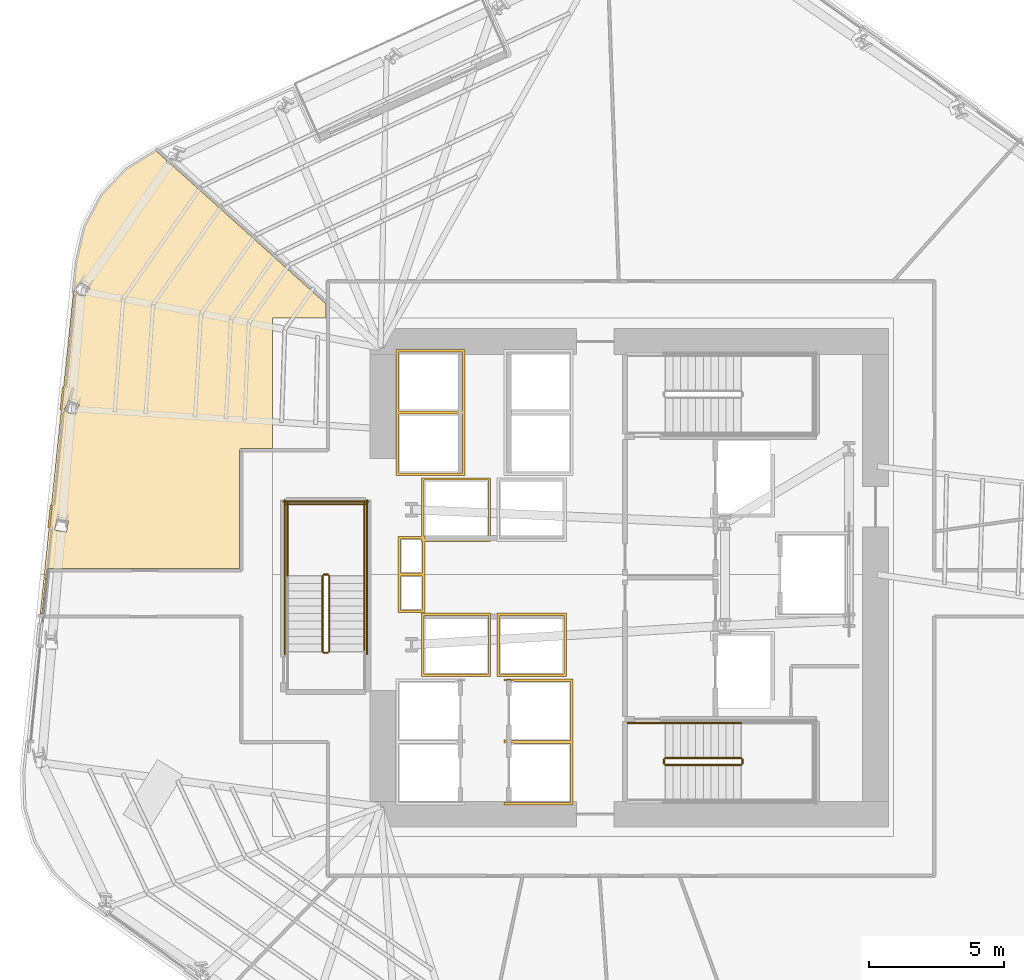
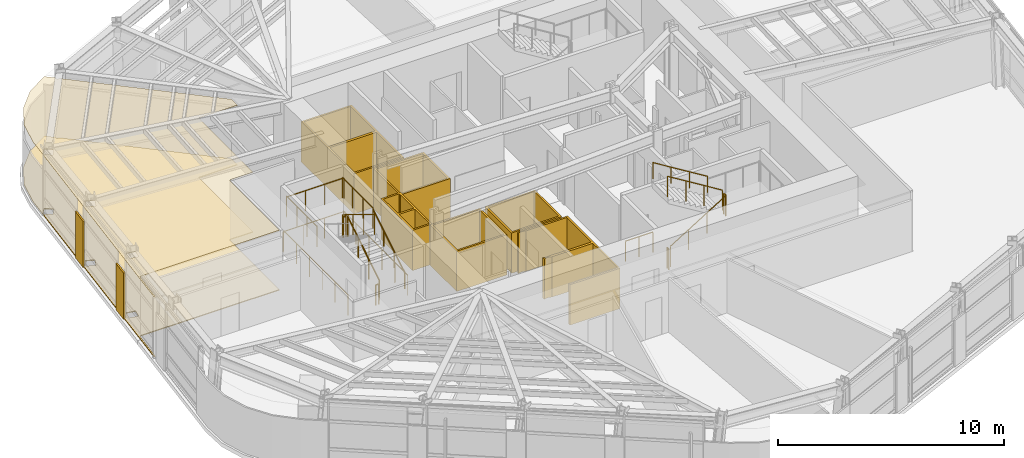
# One storey, part 12 of 16: 17 railings, 9 coverings.
"""IFC4 building model written with IfcOpenShell, lengths in metres."""

from ifc_helpers import new_model, si_unit, direction, frame, origin, origin_2d, place, context, subcontext, project, spatial, polyline, circle, outline, extrude, material, layer, layer_set, type_object, element, save


model = new_model("IFC4")

# Units and contexts
model_context = context("Model", 3, precision=1e-05, world=origin(), true_north=direction((0.0, 1.0)))
body_context = subcontext(model_context, "Body", "Model", "MODEL_VIEW")
ifc_project = project(units=[si_unit("LENGTHUNIT", "METRE"), si_unit("AREAUNIT", "SQUARE_METRE"), si_unit("VOLUMEUNIT", "CUBIC_METRE"), si_unit("PLANEANGLEUNIT", "RADIAN"), si_unit("MASSUNIT", "GRAM", prefix="KILO")], contexts=[model_context])

# Site, building, storey
site_placement = place(None, origin())
site = spatial("IfcSite", under=ifc_project, at=site_placement, CompositionType="ELEMENT")
building_placement = place(site_placement, origin())
building = spatial("IfcBuilding", under=site, at=building_placement, Name="Valkerne Bourse Tower", CompositionType="ELEMENT")
storey_placement = place(building_placement, frame((0.0, 0.0, 127.60009765625)))
storey = spatial("IfcBuildingStorey", under=building, at=storey_placement, Name="L32", CompositionType="ELEMENT", Elevation=127.60009765625)

# Coverings
ifc_material_1 = material(Name="Mineral Fiber Acoustic Ceiling Tile", Category="acoustic")
ifc_layer_1 = layer(ifc_material_1, 0.02490234375)
ifc_layer_set_1 = layer_set([ifc_layer_1], Name="Mineral Fiber Acoustic Ceiling Tile")
covering_type_1 = type_object("IfcCoveringType", Name="COV-CEIL-ACT", PredefinedType="CEILING", material=ifc_layer_set_1)
covering_1_placement = place(storey_placement, frame((0.0, 0.0, 3.22998046875)))
element("IfcCovering", 1, at=covering_1_placement, inside=storey, type_object=covering_type_1, Name="L32 Suspended Ceiling 07", PredefinedType="CEILING", context=body_context, shape_type="SweptSolid", body=[
    extrude(outline(polyline([(27.26904296875, 41.0341796875), (28.17236328125, 41.996337890625), (29.288330078125, 42.688232421875), (29.68603515625, 42.330078125), (29.65869140625, 42.2470703125), (29.848876953125, 42.183349609375), (35.5810546875, 37.022216796875), (35.5810546875, 36.5), (33.60009765625, 36.5), (33.60009765625, 31.6689453125), (32.449462890625, 31.6689453125), (32.419921875, 31.662109375), (32.39404296875, 31.640625), (32.381103515625, 31.6005859375), (32.381103515625, 27.218994140625), (25.284912109375, 27.21728515625), (25.25048828125, 27.197021484375), (25.233154296875, 27.160400390625), (25.066162109375, 25.539306640625), (24.998291015625, 25.53466796875), (26.342041015625, 38.577392578125), (26.6455078125, 39.87158203125), (27.26904296875, 41.0341796875)]), holes=[polyline([(26.04248046875, 28.976806640625), (25.6181640625, 29.058837890625), (25.5390625, 28.651123046875), (25.538818359375, 28.64794921875), (25.963134765625, 28.566162109375), (26.0419921875, 28.973876953125), (26.04248046875, 28.976806640625)]), polyline([(26.446533203125, 33.285888671875), (26.447509765625, 33.288818359375), (26.048583984375, 33.45556640625), (25.88818359375, 33.072509765625), (25.88720703125, 33.0693359375), (26.2861328125, 32.90283203125), (26.446533203125, 33.285888671875)]), polyline([(26.839599609375, 37.60107421875), (26.479248046875, 37.839599609375), (26.25, 37.49365234375), (26.248291015625, 37.490478515625), (26.60888671875, 37.252197265625), (26.838134765625, 37.59814453125), (26.839599609375, 37.60107421875)])]), origin(), (0.0, 0.0, 1.0), 0.02490234375),
])
ifc_material_2 = material(Name="Bronze Anodised Aluminium AA 6063-T6", Category="aluminium")
ifc_layer_2 = layer(ifc_material_2, 0.06005859375)
ifc_layer_set_2 = layer_set([ifc_layer_2], Name="Bronze Anodised Aluminium AA 6063-T6")
covering_type_2 = type_object("IfcCoveringType", Name="COV-CRN-ALUM", PredefinedType="CLADDING", material=ifc_layer_set_2)
covering_2_placement = place(storey_placement, origin())
element("IfcCovering", 2, at=covering_2_placement, inside=storey, type_object=covering_type_2, Name="L32 Wind-Shaped Corner Aluminium Cladding 19", PredefinedType="CLADDING", context=body_context, shape_type="SweptSolid", body=[
    extrude(outline(polyline([(25.368896484375, 29.561279296875), (25.448486328125, 29.55322265625), (25.3623046875, 28.717529296875), (25.28271484375, 28.7255859375), (25.368896484375, 29.561279296875)])), origin(), (0.0, 0.0, 1.0), 2.5),
])
covering_3_placement = place(storey_placement, origin())
element("IfcCovering", 3, at=covering_3_placement, inside=storey, type_object=covering_type_2, Name="L32 Wind-Shaped Corner Aluminium Cladding 20", PredefinedType="CLADDING", context=body_context, shape_type="SweptSolid", body=[
    extrude(outline(polyline([(25.818115234375, 33.921142578125), (25.897705078125, 33.913330078125), (25.8115234375, 33.07763671875), (25.73193359375, 33.085693359375), (25.818115234375, 33.921142578125)])), origin(), (0.0, 0.0, 1.0), 2.5),
])
ifc_material_3 = material(Name="Galvanised Painted Steel", Category="steel")
ifc_layer_3 = layer(ifc_material_3, 0.044921875)
ifc_layer_set_3 = layer_set([ifc_layer_3], Name="Galvanised Painted Steel")
covering_type_3 = type_object("IfcCoveringType", Name="COV-FLR-RAF", PredefinedType="FLOORING", material=ifc_layer_set_3)
covering_4_placement = place(storey_placement, origin())
element("IfcCovering", 4, at=covering_4_placement, inside=storey, type_object=covering_type_3, Name="L32 Floor Finish 07", PredefinedType="FLOORING", context=body_context, shape_type="SweptSolid", body=[
    extrude(outline(polyline([(27.26904296875, 41.0341796875), (28.17236328125, 41.996337890625), (29.288330078125, 42.688232421875), (29.68603515625, 42.330078125), (29.65869140625, 42.2470703125), (29.848876953125, 42.183349609375), (35.5810546875, 37.022216796875), (35.5810546875, 36.5), (33.60009765625, 36.5), (33.60009765625, 31.6689453125), (32.449462890625, 31.6689453125), (32.419921875, 31.662109375), (32.39404296875, 31.640625), (32.381103515625, 31.6005859375), (32.381103515625, 27.218994140625), (25.284912109375, 27.21728515625), (25.25048828125, 27.197021484375), (25.233154296875, 27.160400390625), (25.066162109375, 25.539306640625), (24.998291015625, 25.53466796875), (26.342041015625, 38.577392578125), (26.6455078125, 39.87158203125), (27.26904296875, 41.0341796875)]), holes=[polyline([(26.04248046875, 28.976806640625), (25.6181640625, 29.058837890625), (25.5390625, 28.651123046875), (25.538818359375, 28.64794921875), (25.963134765625, 28.566162109375), (26.0419921875, 28.973876953125), (26.04248046875, 28.976806640625)]), polyline([(26.446533203125, 33.285888671875), (26.447509765625, 33.288818359375), (26.048583984375, 33.45556640625), (25.88818359375, 33.072509765625), (25.88720703125, 33.0693359375), (26.2861328125, 32.90283203125), (26.446533203125, 33.285888671875)]), polyline([(26.839599609375, 37.60107421875), (26.479248046875, 37.839599609375), (26.25, 37.49365234375), (26.248291015625, 37.490478515625), (26.60888671875, 37.252197265625), (26.838134765625, 37.59814453125), (26.839599609375, 37.60107421875)])]), origin(), (0.0, 0.0, 1.0), 0.044921875),
])
ifc_material_4 = material(Name="Gypsum Shaftwall Liner Board", Category="gypsum")
ifc_layer_4 = layer(ifc_material_4, 0.080078125)
ifc_layer_set_4 = layer_set([ifc_layer_4], Name="Gypsum Shaftwall Liner Board")
covering_type_4 = type_object("IfcCoveringType", Name="COV-SHF-CLAD", PredefinedType="CLADDING", material=ifc_layer_set_4)
covering_5_placement = place(storey_placement, origin())
element("IfcCovering", 5, at=covering_5_placement, inside=storey, type_object=covering_type_4, Name="L32 Hoistway & Riser Shaftwall Liner 02", PredefinedType="CLADDING", context=body_context, shape_type="SweptSolid", body=[
    extrude(outline(polyline([(41.679931640625, 23.219970703125), (39.1201171875, 23.219970703125), (39.1201171875, 25.580078125), (41.679931640625, 25.580078125), (41.679931640625, 23.219970703125)]), holes=[polyline([(39.2099609375, 25.489990234375), (39.2099609375, 23.31005859375), (41.590087890625, 23.31005859375), (41.590087890625, 25.489990234375), (39.2099609375, 25.489990234375)])]), origin(), (0.0, 0.0, 1.0), 2.179931640625),
])
covering_6_placement = place(storey_placement, origin())
element("IfcCovering", 6, at=covering_6_placement, inside=storey, type_object=covering_type_4, Name="L32 Hoistway & Riser Shaftwall Liner 03", PredefinedType="CLADDING", context=body_context, shape_type="SweptSolid", body=[
    extrude(outline(polyline([(44.47998046875, 23.219970703125), (41.919921875, 23.219970703125), (41.919921875, 25.580078125), (44.47998046875, 25.580078125), (44.47998046875, 23.219970703125)]), holes=[polyline([(42.010009765625, 25.489990234375), (42.010009765625, 23.31005859375), (44.389892578125, 23.31005859375), (44.389892578125, 25.489990234375), (42.010009765625, 25.489990234375)])]), origin(), (0.0, 0.0, 1.0), 2.179931640625),
])
covering_7_placement = place(storey_placement, origin())
element("IfcCovering", 7, at=covering_7_placement, inside=storey, type_object=covering_type_4, Name="L32 Hoistway & Riser Shaftwall Liner 04", PredefinedType="CLADDING", context=body_context, shape_type="SweptSolid", body=[
    extrude(outline(polyline([(38.239990234375, 28.409912109375), (39.1201171875, 28.409912109375), (39.1201171875, 30.580078125), (41.679931640625, 30.580078125), (41.679931640625, 28.219970703125), (39.239990234375, 28.219970703125), (39.239990234375, 27.0400390625), (39.239990234375, 26.9599609375), (39.239990234375, 25.590087890625), (38.239990234375, 25.590087890625), (38.239990234375, 26.9599609375), (38.239990234375, 27.0400390625), (38.239990234375, 28.409912109375)]), holes=[polyline([(39.2099609375, 30.489990234375), (39.2099609375, 28.409912109375), (39.239990234375, 28.409912109375), (39.239990234375, 28.31005859375), (41.590087890625, 28.31005859375), (41.590087890625, 30.489990234375), (39.2099609375, 30.489990234375)]), polyline([(38.330078125, 26.949951171875), (38.330078125, 25.679931640625), (39.14990234375, 25.679931640625), (39.14990234375, 26.949951171875), (38.330078125, 26.949951171875)]), polyline([(39.1201171875, 28.219970703125), (39.1201171875, 28.320068359375), (38.330078125, 28.320068359375), (38.330078125, 27.050048828125), (39.14990234375, 27.050048828125), (39.14990234375, 28.219970703125), (39.1201171875, 28.219970703125)])]), origin(), (0.0, 0.0, 1.0), 2.179931640625),
])
covering_8_placement = place(storey_placement, origin())
element("IfcCovering", 8, at=covering_8_placement, inside=storey, type_object=covering_type_4, Name="L32 Hoistway & Riser Shaftwall Liner 05", PredefinedType="CLADDING", context=body_context, shape_type="SweptSolid", body=[
    extrude(outline(polyline([(38.169921875, 35.330078125), (40.72998046875, 35.330078125), (40.72998046875, 33.030029296875), (40.72998046875, 32.969970703125), (40.72998046875, 30.669921875), (38.169921875, 30.669921875), (38.169921875, 32.969970703125), (38.169921875, 33.030029296875), (38.169921875, 35.330078125)]), holes=[polyline([(38.260009765625, 32.93994140625), (38.260009765625, 30.760009765625), (40.639892578125, 30.760009765625), (40.639892578125, 32.93994140625), (38.260009765625, 32.93994140625)]), polyline([(38.260009765625, 35.239990234375), (38.260009765625, 33.06005859375), (40.639892578125, 33.06005859375), (40.639892578125, 35.239990234375), (38.260009765625, 35.239990234375)])]), origin(), (0.0, 0.0, 1.0), 2.179931640625),
])
covering_9_placement = place(storey_placement, origin())
element("IfcCovering", 9, at=covering_9_placement, inside=storey, type_object=covering_type_4, Name="L32 Hoistway & Riser Shaftwall Liner 06", PredefinedType="CLADDING", context=body_context, shape_type="SweptSolid", body=[
    extrude(outline(polyline([(42.169921875, 20.830078125), (42.169921875, 20.887939453125), (42.177734375, 20.88427734375), (42.219482421875, 20.869384765625), (42.26220703125, 20.858642578125), (42.305908203125, 20.852294921875), (42.35009765625, 20.85009765625), (42.39404296875, 20.852294921875), (42.437744140625, 20.858642578125), (42.443115234375, 20.860107421875), (44.639892578125, 20.860107421875), (44.639892578125, 23.0400390625), (42.555419921875, 23.0400390625), (42.522216796875, 23.0556640625), (42.480712890625, 23.070556640625), (42.437744140625, 23.081298828125), (42.39404296875, 23.087890625), (42.35009765625, 23.090087890625), (42.305908203125, 23.087890625), (42.26220703125, 23.081298828125), (42.219482421875, 23.070556640625), (42.177734375, 23.0556640625), (42.169921875, 23.052001953125), (42.169921875, 23.1298828125), (44.72998046875, 23.1298828125), (44.72998046875, 20.830078125), (44.72998046875, 20.77001953125), (44.72998046875, 18.469970703125), (42.169921875, 18.469970703125), (42.169921875, 18.587890625), (42.177734375, 18.584228515625), (42.219482421875, 18.5693359375), (42.26220703125, 18.55859375), (42.305908203125, 18.55224609375), (42.35009765625, 18.550048828125), (42.39404296875, 18.55224609375), (42.437744140625, 18.55859375), (42.443115234375, 18.56005859375), (44.639892578125, 18.56005859375), (44.639892578125, 20.739990234375), (42.555419921875, 20.739990234375), (42.522216796875, 20.755615234375), (42.480712890625, 20.7705078125), (42.437744140625, 20.781494140625), (42.39404296875, 20.787841796875), (42.35009765625, 20.7900390625), (42.305908203125, 20.787841796875), (42.26220703125, 20.781494140625), (42.219482421875, 20.7705078125), (42.177734375, 20.755615234375), (42.169921875, 20.752197265625), (42.169921875, 20.77001953125), (42.169921875, 20.830078125)])), origin(), (0.0, 0.0, 1.0), 2.179931640625),
])

# Railings
railing_type_1 = type_object("IfcRailingType", Name="RLG-ST-GUARD-1120", PredefinedType="GUARDRAIL", material=ifc_material_3)
railing_1_placement = place(storey_placement, frame((48.14990234375, 19.949951171875, 0.172607421875)))
element("IfcRailing", 10, at=railing_1_placement, inside=storey, type_object=railing_type_1, Name="L32 ST-1 stair guard 1", PredefinedType="GUARDRAIL", context=body_context, shape_type="SweptSolid", body=[
    extrude(circle(Radius=0.02392578125, at=origin_2d()), frame((0.0, 0.0, 1.09619140625), z_axis=(0.851089632645, 0.0, 0.525020415988), x_axis=(0.0, 1.0, 0.0)), (0.0, 0.0, 1.0), 3.2900390625),
    extrude(circle(Radius=0.02099609375, at=origin_2d()), origin(), (0.0, 0.0, 1.0), 1.072021484375),
    extrude(circle(Radius=0.02099609375, at=origin_2d()), frame((0.933349609375, 0.0, 0.57568359375)), (0.0, 0.0, 1.0), 1.072021484375),
    extrude(circle(Radius=0.02099609375, at=origin_2d()), frame((1.86669921875, 0.0, 1.151611328125)), (0.0, 0.0, 1.0), 1.072021484375),
    extrude(circle(Radius=0.02099609375, at=origin_2d()), frame((2.800048828125, 0.0, 1.727294921875)), (0.0, 0.0, 1.0), 1.072021484375),
])
railing_2_placement = place(storey_placement, frame((51.0, 20.0, 1.89990234375)))
element("IfcRailing", 11, at=railing_2_placement, inside=storey, type_object=railing_type_1, Name="L32 ST-1 stair guard 2", PredefinedType="GUARDRAIL", context=body_context, shape_type="SweptSolid", body=[
    extrude(circle(Radius=0.02392578125, at=origin_2d()), frame((0.0, 0.0, 1.09619140625), z_axis=(0.0, 1.0, 0.0), x_axis=(-1.0, 0.0, 0.0)), (0.0, 0.0, 1.0), 0.14990234375),
    extrude(circle(Radius=0.02099609375, at=origin_2d()), origin(), (0.0, 0.0, 1.0), 1.072021484375),
    extrude(circle(Radius=0.02099609375, at=origin_2d()), frame((0.0, 0.14990234375, 0.0)), (0.0, 0.0, 1.0), 1.072021484375),
])
railing_3_placement = place(storey_placement, frame((50.949951171875, 20.199951171875, 2.072509765625)))
element("IfcRailing", 12, at=railing_3_placement, inside=storey, type_object=railing_type_1, Name="L32 ST-1 stair guard 6", PredefinedType="GUARDRAIL", context=body_context, shape_type="SweptSolid", body=[
    extrude(circle(Radius=0.02392578125, at=origin_2d()), frame((0.0, 0.0, 1.09619140625), z_axis=(-0.851089632645, 0.0, 0.525020415988), x_axis=(0.0, -1.0, 0.0)), (0.0, 0.0, 1.0), 3.2900390625),
    extrude(circle(Radius=0.02099609375, at=origin_2d()), origin(), (0.0, 0.0, 1.0), 1.072021484375),
    extrude(circle(Radius=0.02099609375, at=origin_2d()), frame((-0.933349609375, 0.0, 0.57568359375)), (0.0, 0.0, 1.0), 1.072021484375),
    extrude(circle(Radius=0.02099609375, at=origin_2d()), frame((-1.86669921875, 0.0, 1.151611328125)), (0.0, 0.0, 1.0), 1.072021484375),
    extrude(circle(Radius=0.02099609375, at=origin_2d()), frame((-2.800048828125, 0.0, 1.727294921875)), (0.0, 0.0, 1.0), 1.072021484375),
])
railing_4_placement = place(storey_placement, frame((48.10009765625, 20.0, 0.0)))
element("IfcRailing", 13, at=railing_4_placement, inside=storey, type_object=railing_type_1, Name="L32 ST-1 stair guard 7", PredefinedType="GUARDRAIL", context=body_context, shape_type="SweptSolid", body=[
    extrude(circle(Radius=0.02392578125, at=origin_2d()), frame((0.0, 0.0, 1.09619140625), z_axis=(0.0, 1.0, 0.0), x_axis=(-1.0, 0.0, 0.0)), (0.0, 0.0, 1.0), 0.14990234375),
    extrude(circle(Radius=0.02099609375, at=origin_2d()), origin(), (0.0, 0.0, 1.0), 1.072021484375),
    extrude(circle(Radius=0.02099609375, at=origin_2d()), frame((0.0, 0.14990234375, 0.0)), (0.0, 0.0, 1.0), 1.072021484375),
])
railing_5_placement = place(storey_placement, frame((46.75, 21.5, 0.0)))
element("IfcRailing", 14, at=railing_5_placement, inside=storey, type_object=railing_type_1, Name="L32 ST-1 stair guard 9", PredefinedType="GUARDRAIL", context=body_context, shape_type="SweptSolid", body=[
    extrude(circle(Radius=0.02392578125, at=origin_2d()), frame((0.0, 0.0, 1.09619140625), z_axis=(1.0, 0.0, 0.0), x_axis=(0.0, 1.0, 0.0)), (0.0, 0.0, 1.0), 1.39990234375),
    extrude(circle(Radius=0.02099609375, at=origin_2d()), origin(), (0.0, 0.0, 1.0), 1.072021484375),
    extrude(circle(Radius=0.02099609375, at=origin_2d()), frame((0.699951171875, 0.0, 0.0)), (0.0, 0.0, 1.0), 1.072021484375),
    extrude(circle(Radius=0.02099609375, at=origin_2d()), frame((1.39990234375, 0.0, 0.0)), (0.0, 0.0, 1.0), 1.072021484375),
])
railing_6_placement = place(storey_placement, frame((35.699951171875, 24.14990234375, 0.172607421875)))
element("IfcRailing", 15, at=railing_6_placement, inside=storey, type_object=railing_type_1, Name="L32 ST-3 stair guard 1", PredefinedType="GUARDRAIL", context=body_context, shape_type="SweptSolid", body=[
    extrude(circle(Radius=0.02392578125, at=origin_2d()), frame((0.0, 0.0, 1.09619140625), z_axis=(0.0, 0.851089632645, 0.525020415988), x_axis=(-1.0, 0.0, 0.0)), (0.0, 0.0, 1.0), 3.2900390625),
    extrude(circle(Radius=0.02099609375, at=origin_2d()), origin(), (0.0, 0.0, 1.0), 1.072021484375),
    extrude(circle(Radius=0.02099609375, at=origin_2d()), frame((0.0, 0.933349609375, 0.57568359375)), (0.0, 0.0, 1.0), 1.072021484375),
    extrude(circle(Radius=0.02099609375, at=origin_2d()), frame((0.0, 1.86669921875, 1.151611328125)), (0.0, 0.0, 1.0), 1.072021484375),
    extrude(circle(Radius=0.02099609375, at=origin_2d()), frame((0.0, 2.800048828125, 1.727294921875)), (0.0, 0.0, 1.0), 1.072021484375),
])
railing_7_placement = place(storey_placement, frame((35.64990234375, 27.0, 1.89990234375)))
element("IfcRailing", 16, at=railing_7_placement, inside=storey, type_object=railing_type_1, Name="L32 ST-3 stair guard 2", PredefinedType="GUARDRAIL", context=body_context, shape_type="SweptSolid", body=[
    extrude(circle(Radius=0.02392578125, at=origin_2d()), frame((0.0, 0.0, 1.09619140625), z_axis=(-1.0, 0.0, 0.0), x_axis=(0.0, -1.0, 0.0)), (0.0, 0.0, 1.0), 0.14990234375),
    extrude(circle(Radius=0.02099609375, at=origin_2d()), origin(), (0.0, 0.0, 1.0), 1.072021484375),
    extrude(circle(Radius=0.02099609375, at=origin_2d()), frame((-0.14990234375, 0.0, 0.0)), (0.0, 0.0, 1.0), 1.072021484375),
])
for number, where, name in (
    (17, (37.0, 26.949951171875, 1.89990234375), "L32 ST-3 stair guard 3"),
    (18, (34.14990234375, 26.949951171875, 1.89990234375), "L32 ST-3 stair guard 4"),
):
    element("IfcRailing", number, at=place(storey_placement, frame(where)), inside=storey, type_object=railing_type_1, Name=name, PredefinedType="GUARDRAIL", context=body_context, shape_type="SweptSolid", body=[
        extrude(circle(Radius=0.02392578125, at=origin_2d()), frame((0.0, 0.0, 1.09619140625), z_axis=(0.0, 1.0, 0.0), x_axis=(-1.0, 0.0, 0.0)), (0.0, 0.0, 1.0), 2.699951171875),
        extrude(circle(Radius=0.02099609375, at=origin_2d()), origin(), (0.0, 0.0, 1.0), 1.072021484375),
        extrude(circle(Radius=0.02099609375, at=origin_2d()), frame((0.0, 0.89990234375, 0.0)), (0.0, 0.0, 1.0), 1.072021484375),
        extrude(circle(Radius=0.02099609375, at=origin_2d()), frame((0.0, 1.800048828125, 0.0)), (0.0, 0.0, 1.0), 1.072021484375),
        extrude(circle(Radius=0.02099609375, at=origin_2d()), frame((0.0, 2.699951171875, 0.0)), (0.0, 0.0, 1.0), 1.072021484375),
    ])
railing_8_placement = place(storey_placement, frame((37.050048828125, 29.60009765625, 1.89990234375)))
element("IfcRailing", 19, at=railing_8_placement, inside=storey, type_object=railing_type_1, Name="L32 ST-3 stair guard 5", PredefinedType="GUARDRAIL", context=body_context, shape_type="SweptSolid", body=[
    extrude(circle(Radius=0.02392578125, at=origin_2d()), frame((0.0, 0.0, 1.09619140625), z_axis=(-1.0, 0.0, 0.0), x_axis=(0.0, -1.0, 0.0)), (0.0, 0.0, 1.0), 2.949951171875),
    extrude(circle(Radius=0.02099609375, at=origin_2d()), origin(), (0.0, 0.0, 1.0), 1.072021484375),
    extrude(circle(Radius=0.02099609375, at=origin_2d()), frame((-0.9833984375, 0.0, 0.0)), (0.0, 0.0, 1.0), 1.072021484375),
    extrude(circle(Radius=0.02099609375, at=origin_2d()), frame((-1.966552734375, 0.0, 0.0)), (0.0, 0.0, 1.0), 1.072021484375),
    extrude(circle(Radius=0.02099609375, at=origin_2d()), frame((-2.949951171875, 0.0, 0.0)), (0.0, 0.0, 1.0), 1.072021484375),
])
railing_9_placement = place(storey_placement, frame((35.449951171875, 26.949951171875, 2.072509765625)))
element("IfcRailing", 20, at=railing_9_placement, inside=storey, type_object=railing_type_1, Name="L32 ST-3 stair guard 6", PredefinedType="GUARDRAIL", context=body_context, shape_type="SweptSolid", body=[
    extrude(circle(Radius=0.02392578125, at=origin_2d()), frame((0.0, 0.0, 1.09619140625), z_axis=(0.0, -0.851089632645, 0.525020415988), x_axis=(1.0, 0.0, 0.0)), (0.0, 0.0, 1.0), 3.2900390625),
    extrude(circle(Radius=0.02099609375, at=origin_2d()), origin(), (0.0, 0.0, 1.0), 1.072021484375),
    extrude(circle(Radius=0.02099609375, at=origin_2d()), frame((0.0, -0.933349609375, 0.57568359375)), (0.0, 0.0, 1.0), 1.072021484375),
    extrude(circle(Radius=0.02099609375, at=origin_2d()), frame((0.0, -1.86669921875, 1.151611328125)), (0.0, 0.0, 1.0), 1.072021484375),
    extrude(circle(Radius=0.02099609375, at=origin_2d()), frame((0.0, -2.800048828125, 1.727294921875)), (0.0, 0.0, 1.0), 1.072021484375),
])
railing_10_placement = place(storey_placement, frame((35.64990234375, 24.10009765625, 0.0)))
element("IfcRailing", 21, at=railing_10_placement, inside=storey, type_object=railing_type_1, Name="L32 ST-3 stair guard 7", PredefinedType="GUARDRAIL", context=body_context, shape_type="SweptSolid", body=[
    extrude(circle(Radius=0.02392578125, at=origin_2d()), frame((0.0, 0.0, 1.09619140625), z_axis=(-1.0, 0.0, 0.0), x_axis=(0.0, -1.0, 0.0)), (0.0, 0.0, 1.0), 0.14990234375),
    extrude(circle(Radius=0.02099609375, at=origin_2d()), origin(), (0.0, 0.0, 1.0), 1.072021484375),
    extrude(circle(Radius=0.02099609375, at=origin_2d()), frame((-0.14990234375, 0.0, 0.0)), (0.0, 0.0, 1.0), 1.072021484375),
])
for number, where, name in (
    (22, (37.10009765625, 24.050048828125, 0.0), "L32 ST-3 stair guard 10"),
    (23, (34.050048828125, 24.050048828125, 0.0), "L32 ST-3 stair guard 11"),
):
    element("IfcRailing", number, at=place(storey_placement, frame(where)), inside=storey, type_object=railing_type_1, Name=name, PredefinedType="GUARDRAIL", context=body_context, shape_type="SweptSolid", body=[
        extrude(circle(Radius=0.02392578125, at=origin_2d()), frame((0.0, 0.0, 1.09619140625), z_axis=(0.0, 1.0, 0.0), x_axis=(-1.0, 0.0, 0.0)), (0.0, 0.0, 1.0), 5.699951171875),
        extrude(circle(Radius=0.02099609375, at=origin_2d()), origin(), (0.0, 0.0, 1.0), 1.072021484375),
        extrude(circle(Radius=0.02099609375, at=origin_2d()), frame((0.0, 1.139892578125, 0.0)), (0.0, 0.0, 1.0), 1.072021484375),
        extrude(circle(Radius=0.02099609375, at=origin_2d()), frame((0.0, 2.280029296875, 0.0)), (0.0, 0.0, 1.0), 1.072021484375),
        extrude(circle(Radius=0.02099609375, at=origin_2d()), frame((0.0, 3.419921875, 0.0)), (0.0, 0.0, 1.0), 1.072021484375),
        extrude(circle(Radius=0.02099609375, at=origin_2d()), frame((0.0, 4.56005859375, 0.0)), (0.0, 0.0, 1.0), 1.072021484375),
        extrude(circle(Radius=0.02099609375, at=origin_2d()), frame((0.0, 5.699951171875, 0.0)), (0.0, 0.0, 1.0), 1.072021484375),
    ])
railing_11_placement = place(storey_placement, frame((37.14990234375, 29.699951171875, 0.0)))
element("IfcRailing", 24, at=railing_11_placement, inside=storey, type_object=railing_type_1, Name="L32 ST-3 stair guard 12", PredefinedType="GUARDRAIL", context=body_context, shape_type="SweptSolid", body=[
    extrude(circle(Radius=0.02392578125, at=origin_2d()), frame((0.0, 0.0, 1.09619140625), z_axis=(-1.0, 0.0, 0.0), x_axis=(0.0, -1.0, 0.0)), (0.0, 0.0, 1.0), 3.14990234375),
    extrude(circle(Radius=0.02099609375, at=origin_2d()), origin(), (0.0, 0.0, 1.0), 1.072021484375),
    extrude(circle(Radius=0.02099609375, at=origin_2d()), frame((-1.050048828125, 0.0, 0.0)), (0.0, 0.0, 1.0), 1.072021484375),
    extrude(circle(Radius=0.02099609375, at=origin_2d()), frame((-2.099853515625, 0.0, 0.0)), (0.0, 0.0, 1.0), 1.072021484375),
    extrude(circle(Radius=0.02099609375, at=origin_2d()), frame((-3.14990234375, 0.0, 0.0)), (0.0, 0.0, 1.0), 1.072021484375),
])
ifc_material_5 = material(Name="Stainless Steel AISI 316", Category="steel")
railing_type_2 = type_object("IfcRailingType", Name="RLG-ST-HANDRAIL-900", PredefinedType="HANDRAIL", material=ifc_material_5)
railing_12_placement = place(storey_placement, frame((50.949951171875, 21.5, 2.245361328125)))
element("IfcRailing", 25, at=railing_12_placement, inside=storey, type_object=railing_type_2, Name="L32 ST-1 stair handrail 2", PredefinedType="HANDRAIL", context=body_context, shape_type="SweptSolid", body=[
    extrude(circle(Radius=0.02392578125, at=origin_2d()), frame((0.0, 0.0, 0.8759765625), z_axis=(-0.851089632645, 0.0, 0.525020415988), x_axis=(0.0, -1.0, 0.0)), (0.0, 0.0, 1.0), 3.2900390625),
    extrude(circle(Radius=0.02099609375, at=origin_2d()), origin(), (0.0, 0.0, 1.0), 0.851806640625),
    extrude(circle(Radius=0.02099609375, at=origin_2d()), frame((-0.933349609375, 0.0, 0.57568359375)), (0.0, 0.0, 1.0), 0.851806640625),
    extrude(circle(Radius=0.02099609375, at=origin_2d()), frame((-1.86669921875, 0.0, 1.151611328125)), (0.0, 0.0, 1.0), 0.851806640625),
    extrude(circle(Radius=0.02099609375, at=origin_2d()), frame((-2.800048828125, 0.0, 1.727294921875)), (0.0, 0.0, 1.0), 0.851806640625),
])
railing_13_placement = place(storey_placement, frame((37.0, 24.14990234375, 0.345458984375)))
element("IfcRailing", 26, at=railing_13_placement, inside=storey, type_object=railing_type_2, Name="L32 ST-3 stair handrail 1", PredefinedType="HANDRAIL", context=body_context, shape_type="SweptSolid", body=[
    extrude(circle(Radius=0.02392578125, at=origin_2d()), frame((0.0, 0.0, 0.8759765625), z_axis=(0.0, 0.851122791225, 0.524966660138), x_axis=(-1.0, 0.0, 0.0)), (0.0, 0.0, 1.0), 3.289794921875),
    extrude(circle(Radius=0.02099609375, at=origin_2d()), origin(), (0.0, 0.0, 1.0), 0.851806640625),
    extrude(circle(Radius=0.02099609375, at=origin_2d()), frame((0.0, 0.933349609375, 0.57568359375)), (0.0, 0.0, 1.0), 0.851806640625),
    extrude(circle(Radius=0.02099609375, at=origin_2d()), frame((0.0, 1.86669921875, 1.1513671875)), (0.0, 0.0, 1.0), 0.851806640625),
    extrude(circle(Radius=0.02099609375, at=origin_2d()), frame((0.0, 2.800048828125, 1.72705078125)), (0.0, 0.0, 1.0), 0.851806640625),
])

save(model, "model.ifc")
